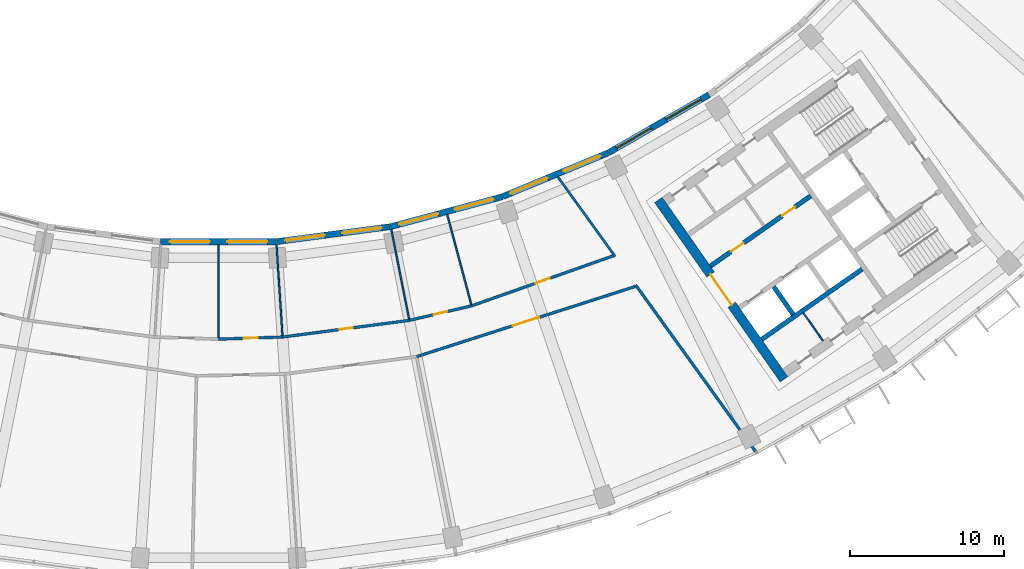
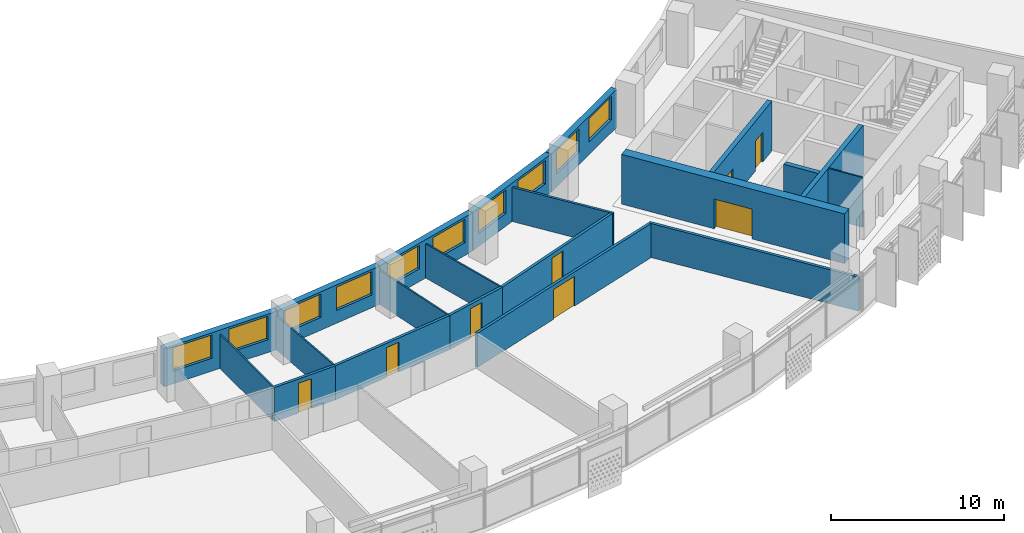
# One storey, part 6 of 26: 21 walls, 10 windows, 8 doors, 18 openings.
"""IFC4 building model written with IfcOpenShell, lengths in metres."""

from ifc_helpers import new_model, si_unit, direction, frame, frame_2d, origin, place, context, subcontext, project, spatial, rectangle, extrude, material, layer, layer_set, type_object, element, fill, save


model = new_model("IFC4")

# Units and contexts
model_context = context("Model", 3, precision=1e-05, world=origin(), true_north=direction((0.0, 1.0)))
body_context = subcontext(model_context, "Body", "Model", "MODEL_VIEW")
ifc_project = project(units=[si_unit("LENGTHUNIT", "METRE"), si_unit("AREAUNIT", "SQUARE_METRE"), si_unit("VOLUMEUNIT", "CUBIC_METRE"), si_unit("PLANEANGLEUNIT", "RADIAN"), si_unit("MASSUNIT", "GRAM", prefix="KILO")], contexts=[model_context])

# Site, building, storey
site_placement = place(None, origin())
site = spatial("IfcSite", under=ifc_project, at=site_placement, CompositionType="ELEMENT")
building_placement = place(site_placement, origin())
building = spatial("IfcBuilding", under=site, at=building_placement, Name="Qamariyya Broadcast Tower", CompositionType="ELEMENT")
storey_placement = place(building_placement, frame((0.0, 0.0, 168.300048828125)))
storey = spatial("IfcBuildingStorey", under=building, at=storey_placement, Name="L39", CompositionType="ELEMENT", Elevation=168.300048828125)

# Wall, opening, door
ifc_material_1 = material(Name="Concrete C60/75", Category="concrete")
ifc_layer_1 = layer(ifc_material_1, 0.60009765625)
ifc_layer_set_1 = layer_set([ifc_layer_1], Name="Core wall 600 mm Concrete C60/75")
wall_type_1 = type_object("IfcWallType", Name="Core wall 600 mm Concrete C60/75", PredefinedType="SHEAR", material=ifc_layer_set_1)
wall_1_placement = place(storey_placement, frame((36.66748046875, -66.005126953125, 0.0), z_axis=(0.0, 0.0, 1.0), x_axis=(-0.573568499524, 0.819157601658, 0.0)))
wall_1 = element("IfcWall", 1, at=wall_1_placement, inside=storey, type_object=wall_type_1, Name="k-E-L39-WA", PredefinedType="SHEAR", context=body_context, shape_type="SweptSolid", body=[
    extrude(rectangle(XDim=14.19970703125, YDim=0.60009765625, at=frame_2d((7.099853515625, 0.0))), origin(), (0.0, 0.0, 1.0), 3.5),
])
opening_1_placement = place(wall_1_placement, frame((5.89990234375, 0.0, 0.0)))
opening_1 = element("IfcOpeningElement", 2, at=opening_1_placement, cuts=wall_1, Name="Opening KD3-E1", PredefinedType="OPENING", context=body_context, shape_type="SweptSolid", body=[
    extrude(rectangle(XDim=2.39990234375, YDim=2.10009765625, at=frame_2d((1.199951171875, 1.050048828125))), frame((0.0, 0.31005859375, 0.0), z_axis=(0.0, -1.0, 0.0), x_axis=(1.0, 0.0, 0.0)), (0.0, 0.0, 1.0), 0.6201171875),
])
ifc_material_2 = material(Name="Steel fire-resisting door leaf", Category="steel")
door_type_1 = type_object("IfcDoorType", Name="Lift lobby door KD3", OperationType="DOUBLE_DOOR_SINGLE_SWING", PredefinedType="DOOR", material=ifc_material_2)
door_1_placement = place(opening_1_placement, origin())
door_1 = element("IfcDoor", 3, at=door_1_placement, inside=storey, type_object=door_type_1, Name="k-E-L39-WA-D1", OperationType="DOUBLE_DOOR_SINGLE_SWING", OverallHeight=2.10009765625, OverallWidth=2.39990234375, PredefinedType="DOOR", context=body_context, shape_type="SweptSolid", body=[
    extrude(rectangle(XDim=2.39990234375, YDim=2.10009765625, at=frame_2d((1.199951171875, 1.050048828125))), frame((0.0, 0.02490234375, 0.0), z_axis=(0.0, -1.0, 0.0), x_axis=(1.0, 0.0, 0.0)), (0.0, 0.0, 1.0), 0.050048828125),
])
fill(opening_1, door_1)

# Wall
ifc_material_3 = material(Name="Gypsum board partition")
ifc_layer_2 = layer(ifc_material_3, 0.14990234375)
ifc_layer_set_2 = layer_set([ifc_layer_2], Name="Corridor partition 150 EI 60")
wall_type_2 = type_object("IfcWallType", Name="Corridor partition 150 EI 60", PredefinedType="PARTITIONING", material=ifc_layer_set_2)
wall_2_placement = place(storey_placement, frame((22.0, -52.873046875, 0.0), z_axis=(0.0, 0.0, 1.0), x_axis=(0.584145217468, -0.811649163684, 0.0)))
element("IfcWall", 4, at=wall_2_placement, inside=storey, type_object=wall_type_2, Name="Partition L39-030", PredefinedType="PARTITIONING", context=body_context, shape_type="SweptSolid", body=[
    extrude(rectangle(XDim=6.37109375, YDim=0.14990234375, at=frame_2d((3.185546875, 0.0))), origin(), (0.0, 0.0, 1.0), 2.39990234375),
])

# Wall, openings, doors
ifc_layer_3 = layer(ifc_material_1, 0.300048828125)
ifc_layer_set_3 = layer_set([ifc_layer_3], Name="Lift shaft wall 300 mm Concrete C60/75")
wall_type_3 = type_object("IfcWallType", Name="Lift shaft wall 300 mm Concrete C60/75", PredefinedType="SOLIDWALL", material=ifc_layer_set_3)
wall_3_placement = place(storey_placement, frame((31.89453125, -58.66552734375, 0.0), z_axis=(0.0, 0.0, 1.0), x_axis=(0.819166993208, 0.573555086491, 0.0)))
wall_3 = element("IfcWall", 5, at=wall_3_placement, inside=storey, type_object=wall_type_3, Name="k-E-L39-NF0", PredefinedType="SOLIDWALL", context=body_context, shape_type="SweptSolid", body=[
    extrude(rectangle(XDim=7.9501953125, YDim=0.300048828125, at=frame_2d((3.97509765625, 0.0))), origin(), (0.0, 0.0, 1.0), 3.5),
])
opening_2_placement = place(wall_3_placement, frame((1.637451171875, 0.0, 0.0)))
opening_2 = element("IfcOpeningElement", 6, at=opening_2_placement, cuts=wall_3, Name="Opening KD6-E1", PredefinedType="OPENING", context=body_context, shape_type="SweptSolid", body=[
    extrude(rectangle(XDim=1.0, YDim=2.10009765625, at=frame_2d((0.5, 1.050048828125))), frame((0.0, 0.159912109375, 0.0), z_axis=(0.0, -1.0, 0.0), x_axis=(1.0, 0.0, 0.0)), (0.0, 0.0, 1.0), 0.320068359375),
])
opening_3_placement = place(wall_3_placement, frame((5.6875, 0.0, 0.0)))
opening_3 = element("IfcOpeningElement", 7, at=opening_3_placement, cuts=wall_3, Name="Opening KD6-E2", PredefinedType="OPENING", context=body_context, shape_type="SweptSolid", body=[
    extrude(rectangle(XDim=1.0, YDim=2.10009765625, at=frame_2d((0.5, 1.050048828125))), frame((0.0, 0.159912109375, 0.0), z_axis=(0.0, -1.0, 0.0), x_axis=(1.0, 0.0, 0.0)), (0.0, 0.0, 1.0), 0.320068359375),
])
door_type_2 = type_object("IfcDoorType", Name="Core room door KD6", OperationType="SINGLE_SWING_LEFT", PredefinedType="DOOR", material=ifc_material_2)
door_2_placement = place(opening_2_placement, origin())
door_2 = element("IfcDoor", 8, at=door_2_placement, inside=storey, type_object=door_type_2, Name="k-E-L39-NF0-D2", OperationType="SINGLE_SWING_RIGHT", OverallHeight=2.10009765625, OverallWidth=1.0, PredefinedType="DOOR", context=body_context, shape_type="SweptSolid", body=[
    extrude(rectangle(XDim=1.0, YDim=2.10009765625, at=frame_2d((0.5, 1.050048828125))), frame((0.0, 0.02490234375, 0.0), z_axis=(0.0, -1.0, 0.0), x_axis=(1.0, 0.0, 0.0)), (0.0, 0.0, 1.0), 0.050048828125),
])
fill(opening_2, door_2)
door_3_placement = place(opening_3_placement, origin())
door_3 = element("IfcDoor", 9, at=door_3_placement, inside=storey, type_object=door_type_2, Name="k-E-L39-NF0-D3", OperationType="SINGLE_SWING_LEFT", OverallHeight=2.10009765625, OverallWidth=1.0, PredefinedType="DOOR", context=body_context, shape_type="SweptSolid", body=[
    extrude(rectangle(XDim=1.0, YDim=2.10009765625, at=frame_2d((0.5, 1.050048828125))), frame((0.0, 0.02490234375, 0.0), z_axis=(0.0, -1.0, 0.0), x_axis=(1.0, 0.0, 0.0)), (0.0, 0.0, 1.0), 0.050048828125),
])
fill(opening_3, door_3)

# Walls
wall_4_placement = place(storey_placement, frame((35.22119140625, -63.41650390625, 0.0), z_axis=(0.0, 0.0, 1.0), x_axis=(0.819166993208, 0.573555086491, 0.0)))
element("IfcWall", 10, at=wall_4_placement, inside=storey, type_object=wall_type_3, Name="k-E-L39-SB0", PredefinedType="SOLIDWALL", context=body_context, shape_type="SweptSolid", body=[
    extrude(rectangle(XDim=7.9501953125, YDim=0.300048828125, at=frame_2d((3.97509765625, 0.0))), origin(), (0.0, 0.0, 1.0), 3.5),
])
wall_5_placement = place(storey_placement, frame((36.003173828125, -60.000244140625, 0.0), z_axis=(0.0, 0.0, 1.0), x_axis=(0.573581496053, -0.819148501424, 0.0)))
element("IfcWall", 11, at=wall_5_placement, inside=storey, type_object=wall_type_3, Name="k-E-L39-SD0", PredefinedType="SOLIDWALL", context=body_context, shape_type="SweptSolid", body=[
    extrude(rectangle(XDim=2.2001953125, YDim=0.300048828125, at=frame_2d((1.10009765625, 0.0))), origin(), (0.0, 0.0, 1.0), 3.5),
])
ifc_layer_4 = layer(ifc_material_3, 0.10009765625)
ifc_layer_set_4 = layer_set([ifc_layer_4], Name="Partition 100")
wall_type_4 = type_object("IfcWallType", Name="Partition 100", PredefinedType="PARTITIONING", material=ifc_layer_set_4)
wall_6_placement = place(storey_placement, frame((0.0, -57.278076171875, 0.0), z_axis=(0.0, 0.0, 1.0), x_axis=(0.0, -1.0, 0.0)))
element("IfcWall", 12, at=wall_6_placement, inside=storey, type_object=wall_type_4, Name="Partition L39-019", PredefinedType="PARTITIONING", context=body_context, shape_type="SweptSolid", body=[
    extrude(rectangle(XDim=6.031982421875, YDim=0.10009765625, at=frame_2d((3.01611328125, 0.0))), origin(), (0.0, 0.0, 1.0), 2.39990234375),
])
wall_7_placement = place(storey_placement, frame((3.754150390625, -57.277099609375, 0.0), z_axis=(0.0, 0.0, 1.0), x_axis=(0.065392110393, -0.99785964539, 0.0)))
element("IfcWall", 13, at=wall_7_placement, inside=storey, type_object=wall_type_4, Name="Partition L39-020", PredefinedType="PARTITIONING", context=body_context, shape_type="SweptSolid", body=[
    extrude(rectangle(XDim=5.91015625, YDim=0.10009765625, at=frame_2d((2.955078125, 0.0))), origin(), (0.0, 0.0, 1.0), 2.39990234375),
])
wall_8_placement = place(storey_placement, frame((11.1982421875, -56.297119140625, 0.0), z_axis=(0.0, 0.0, 1.0), x_axis=(0.195067376167, -0.980789844337, 0.0)))
element("IfcWall", 14, at=wall_8_placement, inside=storey, type_object=wall_type_4, Name="Partition L39-024", PredefinedType="PARTITIONING", context=body_context, shape_type="SweptSolid", body=[
    extrude(rectangle(XDim=5.909912109375, YDim=0.10009765625, at=frame_2d((2.955078125, 0.0))), origin(), (0.0, 0.0, 1.0), 2.39990234375),
])
wall_9_placement = place(storey_placement, frame((14.82470703125, -55.326171875, 0.0), z_axis=(0.0, 0.0, 1.0), x_axis=(0.25878598704, -0.965934683564, 0.0)))
element("IfcWall", 15, at=wall_9_placement, inside=storey, type_object=wall_type_4, Name="Partition L39-027", PredefinedType="PARTITIONING", context=body_context, shape_type="SweptSolid", body=[
    extrude(rectangle(XDim=6.0322265625, YDim=0.10009765625, at=frame_2d((3.01611328125, 0.0))), origin(), (0.0, 0.0, 1.0), 2.39990234375),
])
ifc_material_4 = material(Name="Fire-rated gypsum shaft liner on steel studs", Category="steel")
ifc_layer_5 = layer(ifc_material_4, 0.10009765625)
ifc_layer_set_5 = layer_set([ifc_layer_5], Name="Riser wall 100 mm")
wall_type_5 = type_object("IfcWallType", Name="Riser wall 100 mm", PredefinedType="PLUMBINGWALL", material=ifc_layer_set_5)
wall_10_placement = place(storey_placement, frame((37.9287109375, -61.7041015625, 0.0), z_axis=(0.0, 0.0, 1.0), x_axis=(0.573559170999, -0.819164133348, 0.0)))
element("IfcWall", 16, at=wall_10_placement, inside=storey, type_object=wall_type_5, Name="k-E-L39-SP320", PredefinedType="PLUMBINGWALL", context=body_context, shape_type="SweptSolid", body=[
    extrude(rectangle(XDim=2.19970703125, YDim=0.10009765625, at=frame_2d((1.099853515625, 0.0))), origin(), (0.0, 0.0, 1.0), 3.5),
])

# Wall, opening, door
ifc_layer_6 = layer(ifc_material_3, 0.179931640625)
ifc_layer_set_6 = layer_set([ifc_layer_6], Name="Studio acoustic partition 180 EI 60")
wall_type_6 = type_object("IfcWallType", Name="Studio acoustic partition 180 EI 60", PredefinedType="PARTITIONING", material=ifc_layer_set_6)
wall_11_placement = place(storey_placement, frame((0.0, -63.39990234375, 0.0), z_axis=(0.0, 0.0, 1.0), x_axis=(0.999464584765, 0.032719165634, 0.0)))
wall_11 = element("IfcWall", 17, at=wall_11_placement, inside=storey, type_object=wall_type_6, Name="Partition L39-018", PredefinedType="PARTITIONING", context=body_context, shape_type="SweptSolid", body=[
    extrude(rectangle(XDim=4.148681640625, YDim=0.179931640625, at=frame_2d((2.07421875, 0.0))), origin(), (0.0, 0.0, 1.0), 2.39990234375),
])
opening_4_placement = place(wall_11_placement, frame((1.62451171875, 0.0, 0.0)))
opening_4 = element("IfcOpeningElement", 18, at=opening_4_placement, cuts=wall_11, Name="Opening L39-D11", PredefinedType="OPENING", context=body_context, shape_type="SweptSolid", body=[
    extrude(rectangle(XDim=0.89990234375, YDim=2.10009765625, at=frame_2d((0.449951171875, 1.050048828125))), frame((0.0, 0.099853515625, 0.0), z_axis=(0.0, -1.0, 0.0), x_axis=(1.0, 0.0, 0.0)), (0.0, 0.0, 1.0), 0.199951171875),
])
ifc_material_5 = material(Name="Timber fire door leaf", Category="wood")
door_type_3 = type_object("IfcDoorType", Name="Fire door 900 x 2100 FD60", OperationType="NOTDEFINED", PredefinedType="DOOR", material=ifc_material_5)
door_4_placement = place(opening_4_placement, origin())
door_4 = element("IfcDoor", 19, at=door_4_placement, inside=storey, type_object=door_type_3, Name="Door L39-D11", OperationType="SINGLE_SWING_RIGHT", OverallHeight=2.10009765625, OverallWidth=0.89990234375, PredefinedType="DOOR", context=body_context, shape_type="SweptSolid", body=[
    extrude(rectangle(XDim=0.89990234375, YDim=2.10009765625, at=frame_2d((0.449951171875, 1.050048828125))), frame((0.0, 0.02490234375, 0.0), z_axis=(0.0, -1.0, 0.0), x_axis=(1.0, 0.0, 0.0)), (0.0, 0.0, 1.0), 0.050048828125),
])
fill(opening_4, door_4)

wall_12_placement = place(storey_placement, frame((4.146484375, -63.26416015625, 0.0), z_axis=(0.0, 0.0, 1.0), x_axis=(0.991447881484, 0.130503250152, 0.0)))
wall_12 = element("IfcWall", 20, at=wall_12_placement, inside=storey, type_object=wall_type_6, Name="Partition L39-021", PredefinedType="PARTITIONING", context=body_context, shape_type="SweptSolid", body=[
    extrude(rectangle(XDim=8.293212890625, YDim=0.179931640625, at=frame_2d((4.146484375, 0.0))), origin(), (0.0, 0.0, 1.0), 2.39990234375),
])
opening_5_placement = place(wall_12_placement, frame((3.696533203125, 0.0, 0.0)))
opening_5 = element("IfcOpeningElement", 21, at=opening_5_placement, cuts=wall_12, Name="Opening L39-D12", PredefinedType="OPENING", context=body_context, shape_type="SweptSolid", body=[
    extrude(rectangle(XDim=0.89990234375, YDim=2.10009765625, at=frame_2d((0.449951171875, 1.050048828125))), frame((0.0, 0.099853515625, 0.0), z_axis=(0.0, -1.0, 0.0), x_axis=(1.0, 0.0, 0.0)), (0.0, 0.0, 1.0), 0.199951171875),
])
door_5_placement = place(opening_5_placement, origin())
door_5 = element("IfcDoor", 22, at=door_5_placement, inside=storey, type_object=door_type_3, Name="Door L39-D12", OperationType="SINGLE_SWING_RIGHT", OverallHeight=2.10009765625, OverallWidth=0.89990234375, PredefinedType="DOOR", context=body_context, shape_type="SweptSolid", body=[
    extrude(rectangle(XDim=0.89990234375, YDim=2.10009765625, at=frame_2d((0.449951171875, 1.050048828125))), frame((0.0, 0.02490234375, 0.0), z_axis=(0.0, -1.0, 0.0), x_axis=(1.0, 0.0, 0.0)), (0.0, 0.0, 1.0), 0.050048828125),
])
fill(opening_5, door_5)

wall_13_placement = place(storey_placement, frame((12.36865234375, -62.181884765625, 0.0), z_axis=(0.0, 0.0, 1.0), x_axis=(0.973875922187, 0.227080796599, 0.0)))
wall_13 = element("IfcWall", 23, at=wall_13_placement, inside=storey, type_object=wall_type_6, Name="Partition L39-025", PredefinedType="PARTITIONING", context=body_context, shape_type="SweptSolid", body=[
    extrude(rectangle(XDim=4.14892578125, YDim=0.179931640625, at=frame_2d((2.074462890625, 0.0))), origin(), (0.0, 0.0, 1.0), 2.39990234375),
])
opening_6_placement = place(wall_13_placement, frame((1.62451171875, 0.0, 0.0)))
opening_6 = element("IfcOpeningElement", 24, at=opening_6_placement, cuts=wall_13, Name="Opening L39-D13", PredefinedType="OPENING", context=body_context, shape_type="SweptSolid", body=[
    extrude(rectangle(XDim=0.89990234375, YDim=2.10009765625, at=frame_2d((0.449951171875, 1.050048828125))), frame((0.0, 0.099853515625, 0.0), z_axis=(0.0, -1.0, 0.0), x_axis=(1.0, 0.0, 0.0)), (0.0, 0.0, 1.0), 0.199951171875),
])
door_6_placement = place(opening_6_placement, origin())
door_6 = element("IfcDoor", 25, at=door_6_placement, inside=storey, type_object=door_type_3, Name="Door L39-D13", OperationType="SINGLE_SWING_RIGHT", OverallHeight=2.10009765625, OverallWidth=0.89990234375, PredefinedType="DOOR", context=body_context, shape_type="SweptSolid", body=[
    extrude(rectangle(XDim=0.89990234375, YDim=2.10009765625, at=frame_2d((0.449951171875, 1.050048828125))), frame((0.0, 0.02490234375, 0.0), z_axis=(0.0, -1.0, 0.0), x_axis=(1.0, 0.0, 0.0)), (0.0, 0.0, 1.0), 0.050048828125),
])
fill(opening_6, door_6)

wall_14_placement = place(storey_placement, frame((27.014892578125, -59.987548828125, 0.0), z_axis=(0.0, 0.0, 1.0), x_axis=(-0.952206678499, -0.305454483387, 0.0)))
wall_14 = element("IfcWall", 26, at=wall_14_placement, inside=storey, type_object=wall_type_6, Name="Partition L39-026", PredefinedType="PARTITIONING", context=body_context, shape_type="SweptSolid", body=[
    extrude(rectangle(XDim=14.8896484375, YDim=0.179931640625, at=frame_2d((7.44482421875, 0.0))), origin(), (0.0, 0.0, 1.0), 2.39990234375),
])
opening_7_placement = place(wall_14_placement, frame((6.544921875, 0.0, 0.0)))
opening_7 = element("IfcOpeningElement", 27, at=opening_7_placement, cuts=wall_14, Name="Opening L39-D05", PredefinedType="OPENING", context=body_context, shape_type="SweptSolid", body=[
    extrude(rectangle(XDim=1.800048828125, YDim=2.10009765625, at=frame_2d((0.89990234375, 1.050048828125))), frame((0.0, 0.099853515625, 0.0), z_axis=(0.0, -1.0, 0.0), x_axis=(1.0, 0.0, 0.0)), (0.0, 0.0, 1.0), 0.199951171875),
])
door_type_4 = type_object("IfcDoorType", Name="Double fire door 1800 x 2100 FD60", OperationType="NOTDEFINED", PredefinedType="DOOR", material=ifc_material_5)
door_7_placement = place(opening_7_placement, origin())
door_7 = element("IfcDoor", 28, at=door_7_placement, inside=storey, type_object=door_type_4, Name="Door L39-D05", OperationType="DOUBLE_DOOR_SINGLE_SWING", OverallHeight=2.10009765625, OverallWidth=1.800048828125, PredefinedType="DOOR", context=body_context, shape_type="SweptSolid", body=[
    extrude(rectangle(XDim=1.800048828125, YDim=2.10009765625, at=frame_2d((0.89990234375, 1.050048828125))), frame((0.0, 0.02490234375, 0.0), z_axis=(0.0, -1.0, 0.0), x_axis=(1.0, 0.0, 0.0)), (0.0, 0.0, 1.0), 0.050048828125),
])
fill(opening_7, door_7)

wall_15_placement = place(storey_placement, frame((16.4091796875, -61.23974609375, 0.0), z_axis=(0.0, 0.0, 1.0), x_axis=(0.942977382292, 0.332856810785, 0.0)))
wall_15 = element("IfcWall", 29, at=wall_15_placement, inside=storey, type_object=wall_type_6, Name="Partition L39-029", PredefinedType="PARTITIONING", context=body_context, shape_type="SweptSolid", body=[
    extrude(rectangle(XDim=9.744873046875, YDim=0.179931640625, at=frame_2d((4.87255859375, 0.0))), origin(), (0.0, 0.0, 1.0), 2.39990234375),
])
opening_8_placement = place(wall_15_placement, frame((4.37255859375, 0.0, 0.0)))
opening_8 = element("IfcOpeningElement", 30, at=opening_8_placement, cuts=wall_15, Name="Opening L39-D14", PredefinedType="OPENING", context=body_context, shape_type="SweptSolid", body=[
    extrude(rectangle(XDim=1.0, YDim=2.10009765625, at=frame_2d((0.5, 1.050048828125))), frame((0.0, 0.099853515625, 0.0), z_axis=(0.0, -1.0, 0.0), x_axis=(1.0, 0.0, 0.0)), (0.0, 0.0, 1.0), 0.199951171875),
])
door_type_5 = type_object("IfcDoorType", Name="Fire door 1000 x 2100 FD60", OperationType="NOTDEFINED", PredefinedType="DOOR", material=ifc_material_5)
door_8_placement = place(opening_8_placement, origin())
door_8 = element("IfcDoor", 31, at=door_8_placement, inside=storey, type_object=door_type_5, Name="Door L39-D14", OperationType="SINGLE_SWING_RIGHT", OverallHeight=2.10009765625, OverallWidth=1.0, PredefinedType="DOOR", context=body_context, shape_type="SweptSolid", body=[
    extrude(rectangle(XDim=1.0, YDim=2.10009765625, at=frame_2d((0.5, 1.050048828125))), frame((0.0, 0.02490234375, 0.0), z_axis=(0.0, -1.0, 0.0), x_axis=(1.0, 0.0, 0.0)), (0.0, 0.0, 1.0), 0.050048828125),
])
fill(opening_8, door_8)

# Wall
wall_16_placement = place(storey_placement, frame((27.048095703125, -59.886962890625, 0.0), z_axis=(0.0, 0.0, 1.0), x_axis=(0.584166530414, -0.811633824298, 0.0)))
element("IfcWall", 32, at=wall_16_placement, inside=storey, type_object=wall_type_6, Name="Partition L39-031", PredefinedType="PARTITIONING", context=body_context, shape_type="SweptSolid", body=[
    extrude(rectangle(XDim=13.31103515625, YDim=0.179931640625, at=frame_2d((6.655517578125, 0.0))), origin(), (0.0, 0.0, 1.0), 2.39990234375),
])

# Wall, openings, windows
ifc_material_6 = material(Name="Terracotta", Category="masonry")
ifc_layer_7 = layer(ifc_material_6, 0.39990234375)
ifc_layer_set_7 = layer_set([ifc_layer_7], Name="Terracotta clad wall 400")
wall_type_7 = type_object("IfcWallType", Name="Terracotta clad wall 400", PredefinedType="SOLIDWALL", material=ifc_layer_set_7)
wall_17_placement = place(storey_placement, frame((25.252197265625, -51.32080078125, 0.0), z_axis=(0.0, 0.0, 1.0), x_axis=(-0.923867659443, -0.382712095229, 0.0)))
wall_17 = element("IfcWall", 33, at=wall_17_placement, inside=storey, type_object=wall_type_7, Name="e-wl-L39-in100", PredefinedType="SOLIDWALL", context=body_context, shape_type="SweptSolid", body=[
    extrude(rectangle(XDim=7.380859375, YDim=0.39990234375, at=frame_2d((3.6904296875, 0.0))), origin(), (0.0, 0.0, 1.0), 2.699951171875),
])
opening_9_placement = place(wall_17_placement, frame((4.25439453125, 0.0, 0.89990234375)))
opening_9 = element("IfcOpeningElement", 34, at=opening_9_placement, cuts=wall_17, Name="Opening W1", PredefinedType="OPENING", context=body_context, shape_type="SweptSolid", body=[
    extrude(rectangle(XDim=2.60009765625, YDim=1.64990234375, at=frame_2d((1.300048828125, 0.824951171875))), frame((0.0, 0.2099609375, 0.0), z_axis=(0.0, -1.0, 0.0), x_axis=(1.0, 0.0, 0.0)), (0.0, 0.0, 1.0), 0.419921875),
])
opening_10_placement = place(wall_17_placement, frame((0.5263671875, 0.0, 0.89990234375)))
opening_10 = element("IfcOpeningElement", 35, at=opening_10_placement, cuts=wall_17, Name="Opening W1", PredefinedType="OPENING", context=body_context, shape_type="SweptSolid", body=[
    extrude(rectangle(XDim=2.60009765625, YDim=1.64990234375, at=frame_2d((1.300048828125, 0.824951171875))), frame((0.0, 0.2099609375, 0.0), z_axis=(0.0, -1.0, 0.0), x_axis=(1.0, 0.0, 0.0)), (0.0, 0.0, 1.0), 0.419921875),
])
ifc_material_7 = material(Name="Clear low-e double glazed unit in aluminium frame", Category="aluminium")
window_type = type_object("IfcWindowType", Name="Ribbon window 2600 x 1650", PartitioningType="SINGLE_PANEL", PredefinedType="WINDOW", material=ifc_material_7)
window_1_placement = place(opening_9_placement, origin())
window_1 = element("IfcWindow", 36, at=window_1_placement, inside=storey, type_object=window_type, Name="e-w-L39-in10-0", OverallHeight=1.64990234375, OverallWidth=2.60009765625, PartitioningType="SINGLE_PANEL", PredefinedType="WINDOW", context=body_context, shape_type="SweptSolid", body=[
    extrude(rectangle(XDim=2.60009765625, YDim=1.64990234375, at=frame_2d((1.300048828125, 0.824951171875))), frame((0.0, 0.030029296875, 0.0), z_axis=(0.0, -1.0, 0.0), x_axis=(1.0, 0.0, 0.0)), (0.0, 0.0, 1.0), 0.06005859375),
])
fill(opening_9, window_1)
window_2_placement = place(opening_10_placement, origin())
window_2 = element("IfcWindow", 37, at=window_2_placement, inside=storey, type_object=window_type, Name="e-w-L39-in10-1", OverallHeight=1.64990234375, OverallWidth=2.60009765625, PartitioningType="SINGLE_PANEL", PredefinedType="WINDOW", context=body_context, shape_type="SweptSolid", body=[
    extrude(rectangle(XDim=2.60009765625, YDim=1.64990234375, at=frame_2d((1.300048828125, 0.824951171875))), frame((0.0, 0.030029296875, 0.0), z_axis=(0.0, -1.0, 0.0), x_axis=(1.0, 0.0, 0.0)), (0.0, 0.0, 1.0), 0.06005859375),
])
fill(opening_10, window_2)

wall_18_placement = place(storey_placement, frame((31.800537109375, -47.5478515625, 0.0), z_axis=(0.0, 0.0, 1.0), x_axis=(-0.866028517328, -0.499994607145, 0.0)))
wall_18 = element("IfcWall", 38, at=wall_18_placement, inside=storey, type_object=wall_type_7, Name="e-wl-L39-in110", PredefinedType="SOLIDWALL", context=body_context, shape_type="SweptSolid", body=[
    extrude(rectangle(XDim=7.5322265625, YDim=0.39990234375, at=frame_2d((3.76611328125, 0.0))), origin(), (0.0, 0.0, 1.0), 2.699951171875),
])
opening_11_placement = place(wall_18_placement, frame((4.330078125, 0.0, 0.89990234375)))
opening_11 = element("IfcOpeningElement", 39, at=opening_11_placement, cuts=wall_18, Name="Opening W1", PredefinedType="OPENING", context=body_context, shape_type="SweptSolid", body=[
    extrude(rectangle(XDim=2.60009765625, YDim=1.64990234375, at=frame_2d((1.300048828125, 0.824951171875))), frame((0.0, 0.2099609375, 0.0), z_axis=(0.0, -1.0, 0.0), x_axis=(1.0, 0.0, 0.0)), (0.0, 0.0, 1.0), 0.419921875),
])
opening_12_placement = place(wall_18_placement, frame((0.60205078125, 0.0, 0.89990234375)))
opening_12 = element("IfcOpeningElement", 40, at=opening_12_placement, cuts=wall_18, Name="Opening W1", PredefinedType="OPENING", context=body_context, shape_type="SweptSolid", body=[
    extrude(rectangle(XDim=2.60009765625, YDim=1.64990234375, at=frame_2d((1.300048828125, 0.824951171875))), frame((0.0, 0.2099609375, 0.0), z_axis=(0.0, -1.0, 0.0), x_axis=(1.0, 0.0, 0.0)), (0.0, 0.0, 1.0), 0.419921875),
])
window_3_placement = place(opening_11_placement, origin())
window_3 = element("IfcWindow", 41, at=window_3_placement, inside=storey, type_object=window_type, Name="e-w-L39-in11-0", OverallHeight=1.64990234375, OverallWidth=2.60009765625, PartitioningType="SINGLE_PANEL", PredefinedType="WINDOW", context=body_context, shape_type="SweptSolid", body=[
    extrude(rectangle(XDim=2.60009765625, YDim=1.64990234375, at=frame_2d((1.300048828125, 0.824951171875))), frame((0.0, 0.030029296875, 0.0), z_axis=(0.0, -1.0, 0.0), x_axis=(1.0, 0.0, 0.0)), (0.0, 0.0, 1.0), 0.06005859375),
])
fill(opening_11, window_3)
window_4_placement = place(opening_12_placement, origin())
window_4 = element("IfcWindow", 42, at=window_4_placement, inside=storey, type_object=window_type, Name="e-w-L39-in11-1", OverallHeight=1.64990234375, OverallWidth=2.60009765625, PartitioningType="SINGLE_PANEL", PredefinedType="WINDOW", context=body_context, shape_type="SweptSolid", body=[
    extrude(rectangle(XDim=2.60009765625, YDim=1.64990234375, at=frame_2d((1.300048828125, 0.824951171875))), frame((0.0, 0.030029296875, 0.0), z_axis=(0.0, -1.0, 0.0), x_axis=(1.0, 0.0, 0.0)), (0.0, 0.0, 1.0), 0.06005859375),
])
fill(opening_12, window_4)

wall_19_placement = place(storey_placement, frame((3.76611328125, -57.077880859375, 0.0), z_axis=(0.0, 0.0, 1.0), x_axis=(-1.0, 0.0, 0.0)))
wall_19 = element("IfcWall", 43, at=wall_19_placement, inside=storey, type_object=wall_type_7, Name="e-wl-L39-in70", PredefinedType="SOLIDWALL", context=body_context, shape_type="SweptSolid", body=[
    extrude(rectangle(XDim=7.5322265625, YDim=0.39990234375, at=frame_2d((3.76611328125, 0.0))), origin(), (0.0, 0.0, 1.0), 2.699951171875),
])
opening_13_placement = place(wall_19_placement, frame((4.330078125, 0.0, 0.89990234375)))
opening_13 = element("IfcOpeningElement", 44, at=opening_13_placement, cuts=wall_19, Name="Opening W1", PredefinedType="OPENING", context=body_context, shape_type="SweptSolid", body=[
    extrude(rectangle(XDim=2.60009765625, YDim=1.64990234375, at=frame_2d((1.300048828125, 0.824951171875))), frame((0.0, 0.2099609375, 0.0), z_axis=(0.0, -1.0, 0.0), x_axis=(1.0, 0.0, 0.0)), (0.0, 0.0, 1.0), 0.419921875),
])
opening_14_placement = place(wall_19_placement, frame((0.60205078125, 0.0, 0.89990234375)))
opening_14 = element("IfcOpeningElement", 45, at=opening_14_placement, cuts=wall_19, Name="Opening W1", PredefinedType="OPENING", context=body_context, shape_type="SweptSolid", body=[
    extrude(rectangle(XDim=2.60009765625, YDim=1.64990234375, at=frame_2d((1.300048828125, 0.824951171875))), frame((0.0, 0.2099609375, 0.0), z_axis=(0.0, -1.0, 0.0), x_axis=(1.0, 0.0, 0.0)), (0.0, 0.0, 1.0), 0.419921875),
])
window_5_placement = place(opening_13_placement, origin())
window_5 = element("IfcWindow", 46, at=window_5_placement, inside=storey, type_object=window_type, Name="e-w-L39-in07-0", OverallHeight=1.64990234375, OverallWidth=2.60009765625, PartitioningType="SINGLE_PANEL", PredefinedType="WINDOW", context=body_context, shape_type="SweptSolid", body=[
    extrude(rectangle(XDim=2.60009765625, YDim=1.64990234375, at=frame_2d((1.300048828125, 0.824951171875))), frame((0.0, 0.030029296875, 0.0), z_axis=(0.0, -1.0, 0.0), x_axis=(1.0, 0.0, 0.0)), (0.0, 0.0, 1.0), 0.06005859375),
])
fill(opening_13, window_5)
window_6_placement = place(opening_14_placement, origin())
window_6 = element("IfcWindow", 47, at=window_6_placement, inside=storey, type_object=window_type, Name="e-w-L39-in07-1", OverallHeight=1.64990234375, OverallWidth=2.60009765625, PartitioningType="SINGLE_PANEL", PredefinedType="WINDOW", context=body_context, shape_type="SweptSolid", body=[
    extrude(rectangle(XDim=2.60009765625, YDim=1.64990234375, at=frame_2d((1.300048828125, 0.824951171875))), frame((0.0, 0.030029296875, 0.0), z_axis=(0.0, -1.0, 0.0), x_axis=(1.0, 0.0, 0.0)), (0.0, 0.0, 1.0), 0.06005859375),
])
fill(opening_14, window_6)

wall_20_placement = place(storey_placement, frame((11.10888671875, -56.10791015625, 0.0), z_axis=(0.0, 0.0, 1.0), x_axis=(-0.99144438474, -0.130529812564, 0.0)))
wall_20 = element("IfcWall", 48, at=wall_20_placement, inside=storey, type_object=wall_type_7, Name="e-wl-L39-in80", PredefinedType="SOLIDWALL", context=body_context, shape_type="SweptSolid", body=[
    extrude(rectangle(XDim=7.380615234375, YDim=0.39990234375, at=frame_2d((3.6904296875, 0.0))), origin(), (0.0, 0.0, 1.0), 2.699951171875),
])
opening_15_placement = place(wall_20_placement, frame((4.25439453125, 0.0, 0.89990234375)))
opening_15 = element("IfcOpeningElement", 49, at=opening_15_placement, cuts=wall_20, Name="Opening W1", PredefinedType="OPENING", context=body_context, shape_type="SweptSolid", body=[
    extrude(rectangle(XDim=2.60009765625, YDim=1.64990234375, at=frame_2d((1.300048828125, 0.824951171875))), frame((0.0, 0.2099609375, 0.0), z_axis=(0.0, -1.0, 0.0), x_axis=(1.0, 0.0, 0.0)), (0.0, 0.0, 1.0), 0.419921875),
])
opening_16_placement = place(wall_20_placement, frame((0.5263671875, 0.0, 0.89990234375)))
opening_16 = element("IfcOpeningElement", 50, at=opening_16_placement, cuts=wall_20, Name="Opening W1", PredefinedType="OPENING", context=body_context, shape_type="SweptSolid", body=[
    extrude(rectangle(XDim=2.60009765625, YDim=1.64990234375, at=frame_2d((1.300048828125, 0.824951171875))), frame((0.0, 0.2099609375, 0.0), z_axis=(0.0, -1.0, 0.0), x_axis=(1.0, 0.0, 0.0)), (0.0, 0.0, 1.0), 0.419921875),
])
window_7_placement = place(opening_15_placement, origin())
window_7 = element("IfcWindow", 51, at=window_7_placement, inside=storey, type_object=window_type, Name="e-w-L39-in08-0", OverallHeight=1.64990234375, OverallWidth=2.60009765625, PartitioningType="SINGLE_PANEL", PredefinedType="WINDOW", context=body_context, shape_type="SweptSolid", body=[
    extrude(rectangle(XDim=2.60009765625, YDim=1.64990234375, at=frame_2d((1.300048828125, 0.824951171875))), frame((0.0, 0.030029296875, 0.0), z_axis=(0.0, -1.0, 0.0), x_axis=(1.0, 0.0, 0.0)), (0.0, 0.0, 1.0), 0.06005859375),
])
fill(opening_15, window_7)
window_8_placement = place(opening_16_placement, origin())
window_8 = element("IfcWindow", 52, at=window_8_placement, inside=storey, type_object=window_type, Name="e-w-L39-in08-1", OverallHeight=1.64990234375, OverallWidth=2.60009765625, PartitioningType="SINGLE_PANEL", PredefinedType="WINDOW", context=body_context, shape_type="SweptSolid", body=[
    extrude(rectangle(XDim=2.60009765625, YDim=1.64990234375, at=frame_2d((1.300048828125, 0.824951171875))), frame((0.0, 0.030029296875, 0.0), z_axis=(0.0, -1.0, 0.0), x_axis=(1.0, 0.0, 0.0)), (0.0, 0.0, 1.0), 0.06005859375),
])
fill(opening_16, window_8)

wall_21_placement = place(storey_placement, frame((18.41064453125, -54.158447265625, 0.0), z_axis=(0.0, 0.0, 1.0), x_axis=(-0.965927073219, -0.258814391452, 0.0)))
wall_21 = element("IfcWall", 53, at=wall_21_placement, inside=storey, type_object=wall_type_7, Name="e-wl-L39-in90", PredefinedType="SOLIDWALL", context=body_context, shape_type="SweptSolid", body=[
    extrude(rectangle(XDim=7.5322265625, YDim=0.39990234375, at=frame_2d((3.76611328125, 0.0))), origin(), (0.0, 0.0, 1.0), 2.699951171875),
])
opening_17_placement = place(wall_21_placement, frame((4.330078125, 0.0, 0.89990234375)))
opening_17 = element("IfcOpeningElement", 54, at=opening_17_placement, cuts=wall_21, Name="Opening W1", PredefinedType="OPENING", context=body_context, shape_type="SweptSolid", body=[
    extrude(rectangle(XDim=2.60009765625, YDim=1.64990234375, at=frame_2d((1.300048828125, 0.824951171875))), frame((0.0, 0.2099609375, 0.0), z_axis=(0.0, -1.0, 0.0), x_axis=(1.0, 0.0, 0.0)), (0.0, 0.0, 1.0), 0.419921875),
])
opening_18_placement = place(wall_21_placement, frame((0.60205078125, 0.0, 0.89990234375)))
opening_18 = element("IfcOpeningElement", 55, at=opening_18_placement, cuts=wall_21, Name="Opening W1", PredefinedType="OPENING", context=body_context, shape_type="SweptSolid", body=[
    extrude(rectangle(XDim=2.60009765625, YDim=1.64990234375, at=frame_2d((1.300048828125, 0.824951171875))), frame((0.0, 0.2099609375, 0.0), z_axis=(0.0, -1.0, 0.0), x_axis=(1.0, 0.0, 0.0)), (0.0, 0.0, 1.0), 0.419921875),
])
window_9_placement = place(opening_17_placement, origin())
window_9 = element("IfcWindow", 56, at=window_9_placement, inside=storey, type_object=window_type, Name="e-w-L39-in09-0", OverallHeight=1.64990234375, OverallWidth=2.60009765625, PartitioningType="SINGLE_PANEL", PredefinedType="WINDOW", context=body_context, shape_type="SweptSolid", body=[
    extrude(rectangle(XDim=2.60009765625, YDim=1.64990234375, at=frame_2d((1.300048828125, 0.824951171875))), frame((0.0, 0.030029296875, 0.0), z_axis=(0.0, -1.0, 0.0), x_axis=(1.0, 0.0, 0.0)), (0.0, 0.0, 1.0), 0.06005859375),
])
fill(opening_17, window_9)
window_10_placement = place(opening_18_placement, origin())
window_10 = element("IfcWindow", 57, at=window_10_placement, inside=storey, type_object=window_type, Name="e-w-L39-in09-1", OverallHeight=1.64990234375, OverallWidth=2.60009765625, PartitioningType="SINGLE_PANEL", PredefinedType="WINDOW", context=body_context, shape_type="SweptSolid", body=[
    extrude(rectangle(XDim=2.60009765625, YDim=1.64990234375, at=frame_2d((1.300048828125, 0.824951171875))), frame((0.0, 0.030029296875, 0.0), z_axis=(0.0, -1.0, 0.0), x_axis=(1.0, 0.0, 0.0)), (0.0, 0.0, 1.0), 0.06005859375),
])
fill(opening_18, window_10)

save(model, "model.ifc")
